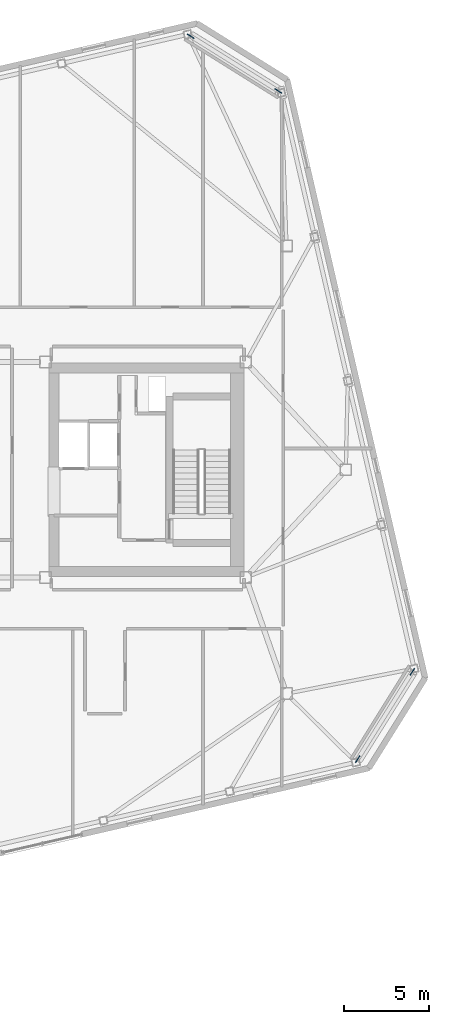
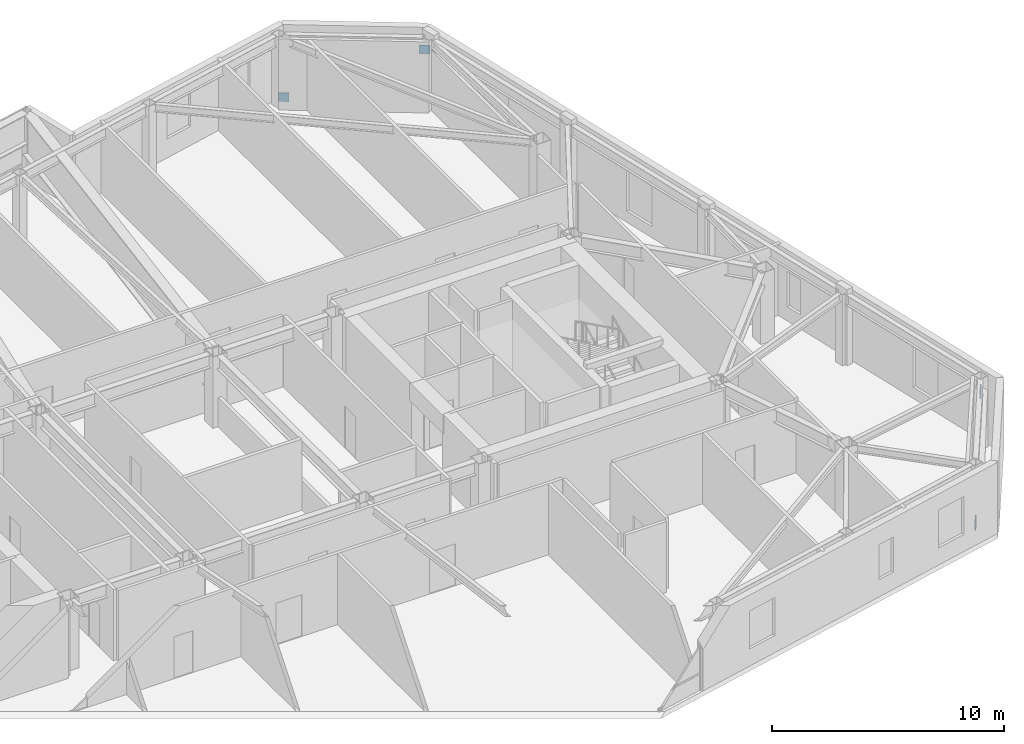
# One storey, part 23 of 24: 4 discrete accessories.
"""IFC4 building model written with IfcOpenShell, lengths in metres."""

from ifc_helpers import new_model, si_unit, direction, frame, origin, origin_2d, place, context, subcontext, project, spatial, rectangle, extrude, material, type_object, element, save


model = new_model("IFC4")

# Units and contexts
model_context = context("Model", 3, precision=1e-05, world=origin(), true_north=direction((0.0, 1.0)))
body_context = subcontext(model_context, "Body", "Model", "MODEL_VIEW")
ifc_project = project(units=[si_unit("LENGTHUNIT", "METRE"), si_unit("AREAUNIT", "SQUARE_METRE"), si_unit("VOLUMEUNIT", "CUBIC_METRE"), si_unit("PLANEANGLEUNIT", "RADIAN"), si_unit("MASSUNIT", "GRAM", prefix="KILO")], contexts=[model_context])

# Site, building, storey
site_placement = place(None, origin())
site = spatial("IfcSite", under=ifc_project, at=site_placement, CompositionType="ELEMENT")
building_placement = place(site_placement, origin())
building = spatial("IfcBuilding", under=site, at=building_placement, Name="Tavrogorsk Clinical Tower", CompositionType="ELEMENT")
storey_placement = place(building_placement, frame((0.0, 0.0, 309.0)))
storey = spatial("IfcBuildingStorey", under=building, at=storey_placement, Name="L72", CompositionType="ELEMENT", Elevation=309.0)

# Discrete accessories
ifc_material = material(Name="Structural steel S440", Category="steel")
discrete_accessory_type = type_object("IfcDiscreteAccessoryType", Name="GussetPlateBracket_25", PredefinedType="BRACKET", material=ifc_material)
for number, where, z_axis, x_axis, name in (
    (1, (28.70166015625, -17.063720703125, 0.163330078125), (0.0, 0.0, 1.0), (0.529919264233, 0.848048096156, 0.0), "L72 Brace Gusset Plate EXOCRN-L72-1-A"),
    (2, (31.9228515625, -11.9091796875, 2.81689453125), (0.0, 0.0, 1.0), (0.529919264233, 0.848048096156, 0.0), "L72 Brace Gusset Plate EXOCRN-L72-1-B"),
    (3, (18.86279296875, 25.55322265625, 0.163330078125), (0.0, 0.0, 1.0), (0.848048096156, -0.529919264233, 0.0), "L72 Brace Gusset Plate EXOCRN-L72-2-A"),
    (4, (24.017578125, 22.332275390625, 2.81689453125), (0.0, 0.0, 1.0), (0.848048096156, -0.529919264233, 0.0), "L72 Brace Gusset Plate EXOCRN-L72-2-B"),
):
    element("IfcDiscreteAccessory", number, at=place(storey_placement, frame(where, z_axis=z_axis, x_axis=x_axis)), inside=storey, type_object=discrete_accessory_type, Name=name, PredefinedType="BRACKET", context=body_context, shape_type="SweptSolid", body=[
        extrude(rectangle(XDim=0.4599609375, YDim=0.0400390625, at=origin_2d()), origin(), (0.0, 0.0, 1.0), 0.4599609375),
    ])

save(model, "model.ifc")
